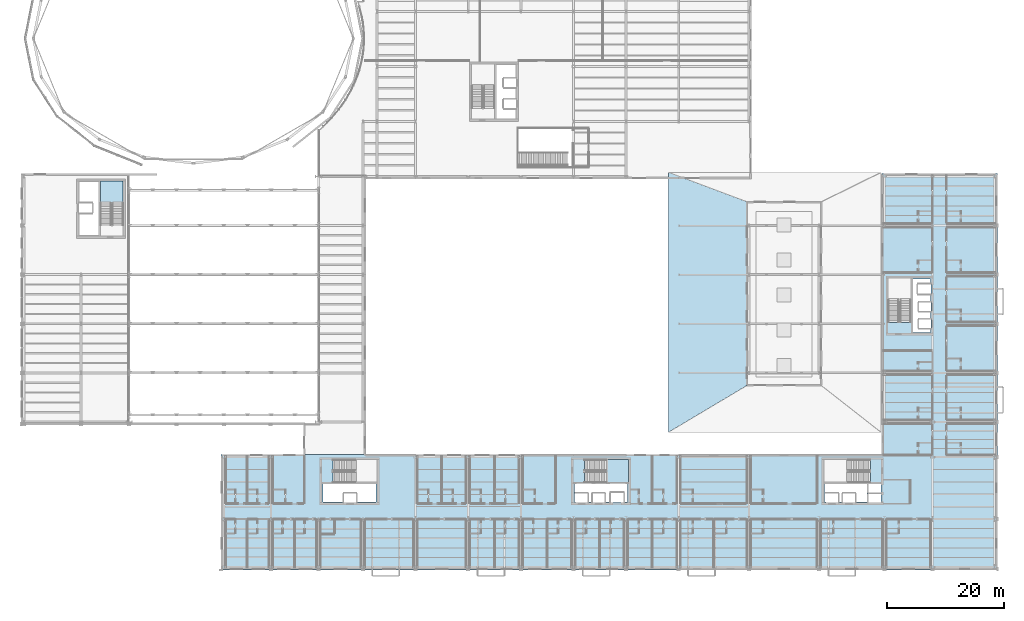
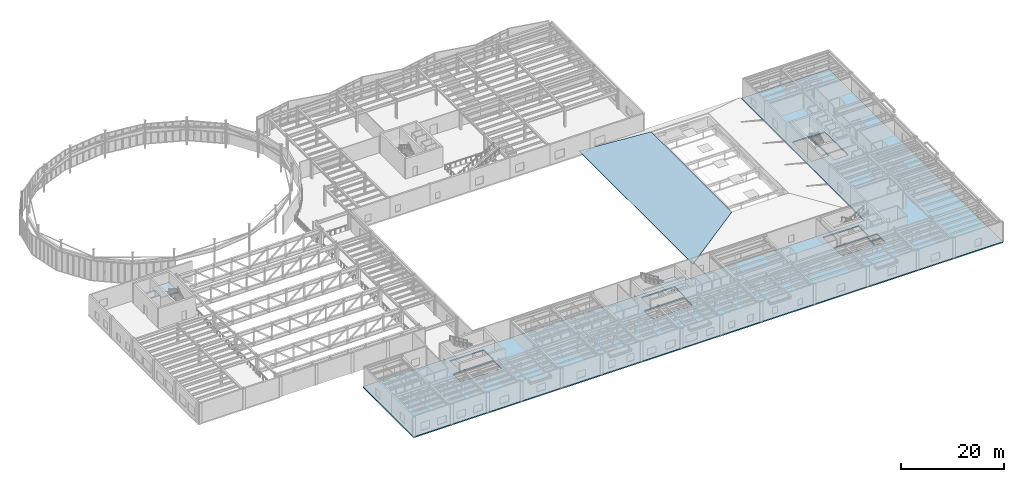
# One storey, part 56 of 91: 4 slabs, 2 elements without a shape of their own.
"""IFC4 building model written with IfcOpenShell, lengths in metres."""

from ifc_helpers import new_model, si_unit, direction, frame, origin, place, context, subcontext, project, spatial, polyline, outline, extrude, material, layer, layer_set, type_object, element, aggregate, save


model = new_model("IFC4")

# Units and contexts
model_context = context("Model", 3, precision=1e-05, world=origin(), true_north=direction((0.0, 1.0)))
body_context = subcontext(model_context, "Body", "Model", "MODEL_VIEW")
ifc_project = project(units=[si_unit("LENGTHUNIT", "METRE"), si_unit("AREAUNIT", "SQUARE_METRE"), si_unit("VOLUMEUNIT", "CUBIC_METRE"), si_unit("PLANEANGLEUNIT", "RADIAN"), si_unit("MASSUNIT", "GRAM", prefix="KILO")], contexts=[model_context])

# Site, building, storey
site_placement = place(None, origin())
site = spatial("IfcSite", under=ifc_project, at=site_placement, CompositionType="ELEMENT")
building_placement = place(site_placement, origin())
building = spatial("IfcBuilding", under=site, at=building_placement, Name="Sollismere Congress Hotel", CompositionType="ELEMENT")
storey_placement = place(building_placement, frame((0.0, 0.0, 10.800048828125)))
storey = spatial("IfcBuildingStorey", under=building, at=storey_placement, Name="L02", CompositionType="ELEMENT", Elevation=10.800048828125)

# Slab
ifc_material_1 = material(Name="Concrete C40/50", Category="concrete")
ifc_layer_1 = layer(ifc_material_1, 0.280029296875, Name="Concrete C40/50")
ifc_layer_set_1 = layer_set([ifc_layer_1], Name="Concrete C40/50")
slab_type_1 = type_object("IfcSlabType", Name="SL-FLR280", PredefinedType="FLOOR", material=ifc_layer_set_1)
slab_1_placement = place(storey_placement, frame((0.0, 0.0, -0.280029296875)))
element("IfcSlab", 1, at=slab_1_placement, inside=storey, type_object=slab_type_1, Name="Slab SL-L02-V5", PredefinedType="FLOOR", context=body_context, shape_type="SweptSolid", body=[
    extrude(outline(polyline([(166.47998046875, -0.47998046875), (166.47998046875, 19.280029296875), (166.47998046875, 67.280029296875), (146.719970703125, 67.280029296875), (146.719970703125, 19.280029296875), (33.719970703125, 19.280029296875), (33.719970703125, -0.47998046875), (166.47998046875, -0.47998046875)]), holes=[polyline([(54.7548828125, 11.050048828125), (54.7548828125, 11.139892578125), (51.139892578125, 11.139892578125), (51.139892578125, 14.179931640625), (60.260009765625, 14.179931640625), (60.260009765625, 11.139892578125), (56.844970703125, 11.139892578125), (56.844970703125, 11.050048828125), (54.7548828125, 11.050048828125)]), polyline([(94.35498046875, 11.050048828125), (94.35498046875, 11.139892578125), (94.139892578125, 11.139892578125), (94.139892578125, 14.179931640625), (103.260009765625, 14.179931640625), (103.260009765625, 11.139892578125), (102.570068359375, 11.139892578125), (102.570068359375, 11.054931640625), (100.330078125, 11.054931640625), (100.330078125, 11.139892578125), (99.344970703125, 11.139892578125), (99.344970703125, 11.050048828125), (97.2548828125, 11.050048828125), (97.2548828125, 11.139892578125), (96.445068359375, 11.139892578125), (96.445068359375, 11.050048828125), (94.35498046875, 11.050048828125)]), polyline([(137.155029296875, 11.050048828125), (137.155029296875, 11.139892578125), (136.93994140625, 11.139892578125), (136.93994140625, 14.179931640625), (144.22705078125, 14.179931640625), (144.22705078125, 11.139892578125), (142.14501953125, 11.139892578125), (142.14501953125, 11.050048828125), (140.054931640625, 11.050048828125), (140.054931640625, 11.139892578125), (139.2451171875, 11.139892578125), (139.2451171875, 11.050048828125), (137.155029296875, 11.050048828125)]), polyline([(52.8505859375, 18.35009765625), (60.39990234375, 18.35009765625), (60.39990234375, 14.449951171875), (52.8505859375, 14.449951171875), (52.8505859375, 18.35009765625)]), polyline([(95.8505859375, 14.449951171875), (95.8505859375, 18.35009765625), (103.39990234375, 18.35009765625), (103.39990234375, 14.449951171875), (95.8505859375, 14.449951171875)]), polyline([(146.550048828125, 11.0048828125), (144.409912109375, 11.0048828125), (144.409912109375, 12.4951171875), (146.550048828125, 12.4951171875), (146.550048828125, 11.0048828125)]), polyline([(144.409912109375, 12.705078125), (144.409912109375, 14.195068359375), (146.550048828125, 14.195068359375), (146.550048828125, 12.705078125), (144.409912109375, 12.705078125)]), polyline([(144.749267578125, 14.449951171875), (136.800048828125, 14.449951171875), (136.800048828125, 18.35009765625), (144.749267578125, 18.35009765625), (144.749267578125, 14.449951171875)]), polyline([(155.06005859375, 40.830078125), (155.06005859375, 40.139892578125), (151.969970703125, 40.139892578125), (151.969970703125, 49.260009765625), (155.06005859375, 49.260009765625), (155.06005859375, 48.39501953125), (155.139892578125, 48.39501953125), (155.139892578125, 46.705078125), (155.06005859375, 46.705078125), (155.06005859375, 45.27001953125), (155.14501953125, 45.27001953125), (155.14501953125, 43.72998046875), (155.06005859375, 43.72998046875), (155.06005859375, 42.3701171875), (155.14501953125, 42.3701171875), (155.14501953125, 40.830078125), (155.06005859375, 40.830078125)]), polyline([(147.800048828125, 41.8505859375), (147.800048828125, 49.39990234375), (151.699951171875, 49.39990234375), (151.699951171875, 41.8505859375), (147.800048828125, 41.8505859375)])]), origin(), (0.0, 0.0, 1.0), 0.280029296875),
])

# Stair, slab
stair_type = type_object("IfcStairType", Name="STR-DL-480", PredefinedType="HALF_TURN_STAIR", material=ifc_material_1)
stair_1_placement = place(storey_placement, origin())
stair_1 = element("IfcStair", 2, at=stair_1_placement, inside=storey, type_object=stair_type, Name="Protected exit stair ST-02-L02", PredefinedType="HALF_TURN_STAIR")
ifc_layer_2 = layer(ifc_material_1, 0.199951171875, Name="Concrete C40/50")
ifc_layer_set_2 = layer_set([ifc_layer_2], Name="Concrete C40/50")
slab_type_2 = type_object("IfcSlabType", Name="SL-LND200", PredefinedType="LANDING", material=ifc_layer_set_2)
slab_2_placement = place(storey_placement, frame((0.0, 0.0, 2.199951171875)))
slab_2 = element("IfcSlab", 3, at=slab_2_placement, type_object=slab_type_2, Name="Exit stair half-landing ST-02-L02-L1", PredefinedType="LANDING", context=body_context, shape_type="SweptSolid", body=[
    extrude(outline(polyline([(99.6201171875, 14.449951171875), (103.39990234375, 14.449951171875), (103.39990234375, 18.35009765625), (99.6201171875, 18.35009765625), (99.6201171875, 14.449951171875)])), origin(), (0.0, 0.0, 1.0), 0.199951171875),
])
aggregate(stair_1, [slab_2])

stair_2_placement = place(storey_placement, origin())
stair_2 = element("IfcStair", 4, at=stair_2_placement, inside=storey, type_object=stair_type, Name="Protected exit stair ST-05-L02", PredefinedType="HALF_TURN_STAIR")
slab_3_placement = place(storey_placement, frame((0.0, 0.0, 2.199951171875)))
slab_3 = element("IfcSlab", 5, at=slab_3_placement, type_object=slab_type_2, Name="Exit stair half-landing ST-05-L02-L1", PredefinedType="LANDING", context=body_context, shape_type="SweptSolid", body=[
    extrude(outline(polyline([(17.0, 62.219970703125), (17.0, 66.0), (13.10009765625, 66.0), (13.10009765625, 62.219970703125), (17.0, 62.219970703125)])), origin(), (0.0, 0.0, 1.0), 0.199951171875),
])
aggregate(stair_2, [slab_3])

# Slab
ifc_material_2 = material(Name="Standing-Seam Zinc on Concrete C40/50", Category="concrete")
ifc_layer_3 = layer(ifc_material_2, 0.159912109375, Name="Standing-Seam Zinc on Concrete C40/50")
ifc_layer_set_3 = layer_set([ifc_layer_3], Name="Standing-Seam Zinc on Concrete C40/50")
slab_type_3 = type_object("IfcSlabType", Name="SL-SPA160", PredefinedType="ROOF", material=ifc_layer_set_3)
slab_4_placement = place(storey_placement, frame((110.2841796875, 23.052001953125, -0.086181640625), z_axis=(-0.214366977481, 0.0, 0.976753192452), x_axis=(0.844315178804, 0.502787666278, 0.185300948408)))
element("IfcSlab", 6, at=slab_4_placement, inside=storey, type_object=slab_type_3, Name="Hipped roof facet SL-SPA-W", PredefinedType="ROOF", context=body_context, shape_type="SweptSolid", body=[
    extrude(outline(polyline([(0.0, 0.0), (15.811767578125, 0.0), (31.647705078125, 27.2255859375), (22.346923828125, 38.419677734375), (0.0, 0.0)])), origin(), (0.0, 0.0, 1.0), 0.159912109375),
])

save(model, "model.ifc")
